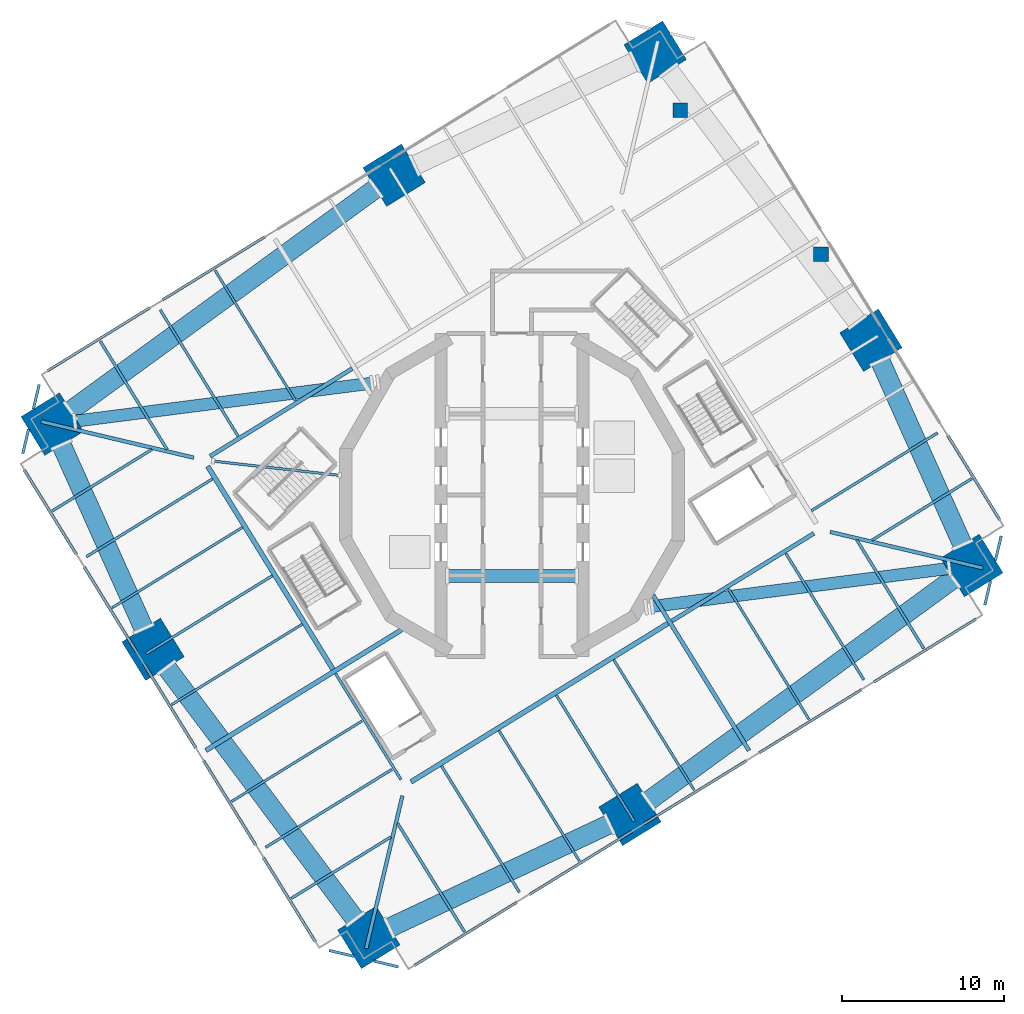
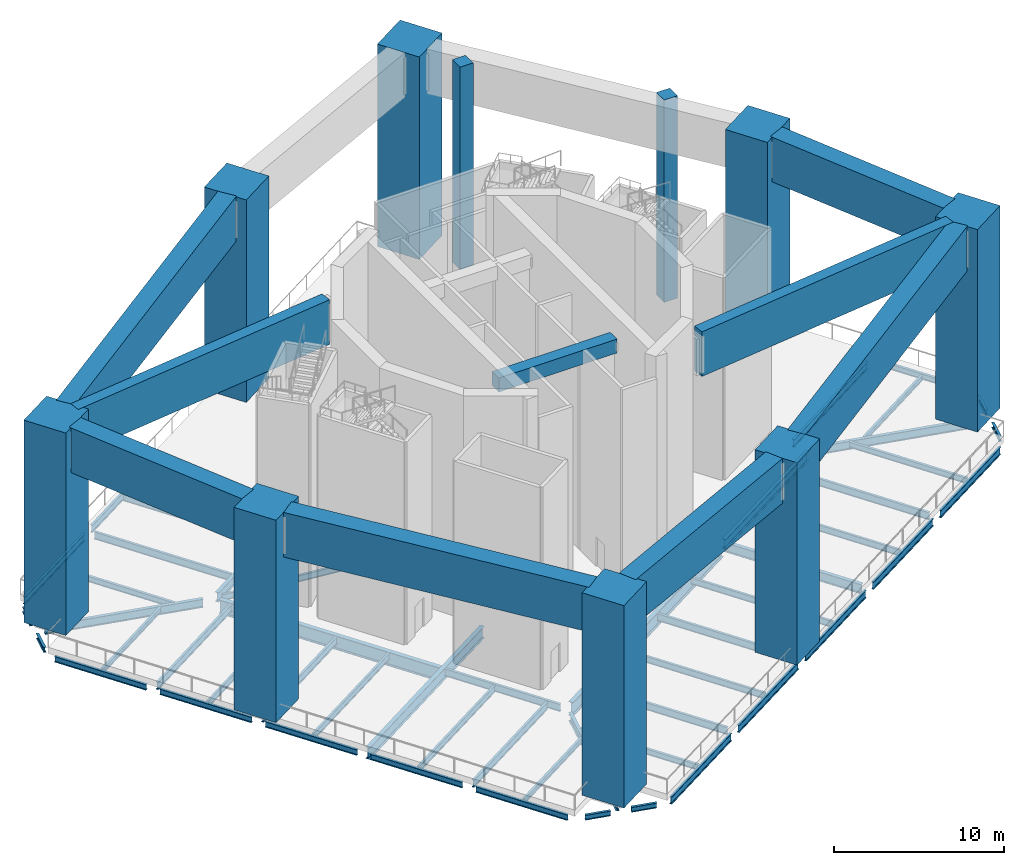
# One storey, part 1 of 15: 60 beams, 10 columns.
"""IFC4 building model written with IfcOpenShell, lengths in metres."""

from ifc_helpers import new_model, si_unit, direction, frame, origin, origin_2d, place, context, subcontext, project, spatial, rectangle, i_section, extrude, material, material_profile, profile_set, type_object, element, save


model = new_model("IFC4")

# Units and contexts
model_context = context("Model", 3, precision=1e-05, world=origin(), true_north=direction((0.0, 1.0)))
body_context = subcontext(model_context, "Body", "Model", "MODEL_VIEW")
ifc_project = project(units=[si_unit("LENGTHUNIT", "METRE"), si_unit("AREAUNIT", "SQUARE_METRE"), si_unit("VOLUMEUNIT", "CUBIC_METRE"), si_unit("PLANEANGLEUNIT", "RADIAN"), si_unit("MASSUNIT", "GRAM", prefix="KILO")], contexts=[model_context])

# Site, building, storey
site_placement = place(None, origin())
site = spatial("IfcSite", under=ifc_project, at=site_placement, CompositionType="ELEMENT")
building_placement = place(site_placement, origin())
building = spatial("IfcBuilding", under=site, at=building_placement, Name="Cantera Rosa Tower", CompositionType="ELEMENT")
storey_placement = place(building_placement, frame((0.0, 0.0, 189.39990234375)))
storey = spatial("IfcBuildingStorey", under=building, at=storey_placement, Name="L42", CompositionType="ELEMENT", Elevation=189.39990234375)

# Columns
ifc_material_1 = material(Name="Concrete C60/75", Category="concrete")
ifc_material_profile_1 = material_profile(ifc_material_1, rectangle(XDim=0.89990234375, YDim=0.89990234375, at=origin_2d()), Name="RC COLUMN RC900X900 C60/75")
ifc_profile_set_1 = profile_set([ifc_material_profile_1], Name="Concrete C60/75")
column_type_1 = type_object("IfcColumnType", Name="RC COLUMN RC900X900 C60/75", PredefinedType="COLUMN", material=ifc_profile_set_1)
for number, where, z_axis, x_axis, name in (
    (1, (19.060791015625, 14.83349609375, 0.0), (0.0, 0.0, 1.0), (1.0, 0.0, 0.0), "CP-L43-1 L42"),
    (2, (10.3671875, 23.731689453125, 0.0), (0.0, 0.0, 1.0), (1.0, 0.0, 0.0), "CP-L43-2 L42"),
):
    element("IfcColumn", number, at=place(storey_placement, frame(where, z_axis=z_axis, x_axis=x_axis)), inside=storey, type_object=column_type_1, Name=name, PredefinedType="COLUMN", context=body_context, shape_type="SweptSolid", body=[
        extrude(rectangle(XDim=0.89990234375, YDim=0.89990234375, at=origin_2d()), origin(), (0.0, 0.0, 1.0), 14.5),
    ])
ifc_material_2 = material(Name="Concrete C60/75", Category="concrete")
ifc_material_profile_2 = material_profile(ifc_material_2, rectangle(XDim=2.800048828125, YDim=2.800048828125, at=origin_2d()), Name="RC MEGA COLUMN RC2800X2800 C60/75")
ifc_profile_set_2 = profile_set([ifc_material_profile_2], Name="Concrete C60/75")
column_type_2 = type_object("IfcColumnType", Name="RC MEGA COLUMN RC2800X2800 C60/75", PredefinedType="COLUMN", material=ifc_profile_set_2)
for number, where, z_axis, x_axis, name in (
    (3, (8.832275390625, 27.301513671875, 0.0), (0.0, 0.0, 1.0), (0.851116672434, 0.52497658034, 0.0), "PM-C-Z3-07 L42"),
    (4, (28.361572265625, -4.360107421875, 0.0), (0.0, 0.0, 1.0), (0.851116672434, 0.52497658034, 0.0), "PM-C-Z3-28 L42"),
    (5, (-28.361572265625, 4.360107421875, 0.0), (0.0, 0.0, 1.0), (0.851116672434, 0.52497658034, 0.0), "PM-C-Z3-14 L42"),
    (6, (-8.832275390625, -27.301513671875, 0.0), (0.0, 0.0, 1.0), (0.851116672434, 0.52497658034, 0.0), "PM-C-Z3-21 L42"),
    (7, (22.141845703125, 9.533203125, 0.0), (0.0, 0.0, 1.0), (0.851116672434, 0.52497658034, 0.0), "PM-C-Z3-03 L42"),
    (8, (-22.141845703125, -9.533203125, 0.0), (0.0, 0.0, 1.0), (0.851116672434, 0.52497658034, 0.0), "PM-C-Z3-17 L42"),
    (9, (-7.27392578125, 19.716796875, 0.0), (0.0, 0.0, 1.0), (0.851116672434, 0.52497658034, 0.0), "PM-C-Z3-10 L42"),
    (10, (7.27392578125, -19.716796875, 0.0), (0.0, 0.0, 1.0), (0.851116672434, 0.52497658034, 0.0), "PM-C-Z3-24 L42"),
):
    element("IfcColumn", number, at=place(storey_placement, frame(where, z_axis=z_axis, x_axis=x_axis)), inside=storey, type_object=column_type_2, Name=name, PredefinedType="COLUMN", context=body_context, shape_type="SweptSolid", body=[
        extrude(rectangle(XDim=2.800048828125, YDim=2.800048828125, at=origin_2d()), origin(), (0.0, 0.0, 1.0), 14.5),
    ])

# Beams
ifc_material_3 = material(Name="Concrete C60/75", Category="concrete")
ifc_material_profile_3 = material_profile(ifc_material_3, rectangle(XDim=0.800048828125, YDim=1.0, at=origin_2d()), Name="RC COUPLING BEAM RC800X1000 C60/75")
ifc_profile_set_3 = profile_set([ifc_material_profile_3], Name="Concrete C60/75")
beam_type_1 = type_object("IfcBeamType", Name="RC COUPLING BEAM RC800X1000 C60/75", PredefinedType="BEAM", material=ifc_profile_set_3)
beam_1_placement = place(storey_placement, frame((-4.0, -5.0, 14.0), z_axis=(1.0, 0.0, 0.0), x_axis=(0.0, 1.0, 0.0)))
element("IfcBeam", 11, at=beam_1_placement, inside=storey, type_object=beam_type_1, Name="CPL-L42-1", PredefinedType="BEAM", context=body_context, shape_type="SweptSolid", body=[
    extrude(rectangle(XDim=0.800048828125, YDim=1.0, at=origin_2d()), origin(), (0.0, 0.0, 1.0), 8.0),
])
ifc_material_4 = material(Name="Concrete C70/85", Category="concrete")
ifc_material_profile_4 = material_profile(ifc_material_4, rectangle(XDim=0.75, YDim=3.199951171875, at=origin_2d()), Name="RC OUTRIGGER BEAM RC750X3200 C70/85")
ifc_profile_set_4 = profile_set([ifc_material_profile_4], Name="Concrete C70/85")
beam_type_2 = type_object("IfcBeamType", Name="RC OUTRIGGER BEAM RC750X3200 C70/85", PredefinedType="BEAM", material=ifc_profile_set_4)
for number, where, z_axis, x_axis, name in (
    (12, (8.636962890625, -6.887451171875, 12.900146484375), (0.991889543398, 0.12710284693, 0.0), (-0.12710284693, 0.991889543398, 0.0), "OR-E42 L42"),
    (13, (-8.636962890625, 6.887451171875, 12.900146484375), (-0.991889543398, -0.12710284693, 0.0), (0.12710284693, -0.991889543398, 0.0), "OR-W42 L42"),
):
    element("IfcBeam", number, at=place(storey_placement, frame(where, z_axis=z_axis, x_axis=x_axis)), inside=storey, type_object=beam_type_2, Name=name, PredefinedType="BEAM", context=body_context, shape_type="SweptSolid", body=[
        extrude(rectangle(XDim=0.75, YDim=3.199951171875, at=origin_2d()), origin(), (0.0, 0.0, 1.0), 18.535888671875),
    ])
ifc_material_5 = material(Name="Concrete C70/85", Category="concrete")
ifc_material_profile_5 = material_profile(ifc_material_5, rectangle(XDim=1.199951171875, YDim=3.199951171875, at=origin_2d()), Name="RC PORTAL TRANSFER GIRDER RC1200X3200 C70/85")
ifc_profile_set_5 = profile_set([ifc_material_profile_5], Name="Concrete C70/85")
beam_type_3 = type_object("IfcBeamType", Name="RC PORTAL TRANSFER GIRDER RC1200X3200 C70/85", PredefinedType="BEAM", material=ifc_profile_set_5)
beam_2_placement = place(storey_placement, frame((-21.33251953125, -10.61376953125, 12.900146484375), z_axis=(0.599525141949, -0.800355923431, 0.0), x_axis=(0.800355923431, 0.599525141949, 0.0)))
element("IfcBeam", 14, at=beam_2_placement, inside=storey, type_object=beam_type_3, Name="PGB-L42-1", PredefinedType="BEAM", context=body_context, shape_type="SweptSolid", body=[
    extrude(rectangle(XDim=1.199951171875, YDim=3.199951171875, at=origin_2d()), origin(), (0.0, 0.0, 1.0), 19.500244140625),
])
beam_3_placement = place(storey_placement, frame((-7.611083984375, -26.726318359375, 12.900146484375), z_axis=(0.904706200569, 0.426036020369, 0.0), x_axis=(-0.426036020369, 0.904706200569, 0.0)))
element("IfcBeam", 15, at=beam_3_placement, inside=storey, type_object=beam_type_3, Name="PGB-L42-2", PredefinedType="BEAM", context=body_context, shape_type="SweptSolid", body=[
    extrude(rectangle(XDim=1.199951171875, YDim=3.199951171875, at=origin_2d()), origin(), (0.0, 0.0, 1.0), 15.102783203125),
])
beam_4_placement = place(storey_placement, frame((8.365234375, -18.922119140625, 12.900146484375), z_axis=(0.808365301249, 0.588681186837, 0.0), x_axis=(-0.588681186837, 0.808365301249, 0.0)))
element("IfcBeam", 16, at=beam_4_placement, inside=storey, type_object=beam_type_3, Name="PGB-L42-3", PredefinedType="BEAM", context=body_context, shape_type="SweptSolid", body=[
    extrude(rectangle(XDim=1.199951171875, YDim=3.199951171875, at=origin_2d()), origin(), (0.0, 0.0, 1.0), 23.38671875),
])
beam_5_placement = place(storey_placement, frame((27.809814453125, -3.1279296875, 12.900146484375), z_axis=(-0.408599043454, 0.912713986793, 0.0), x_axis=(-0.912713986793, -0.408599043454, 0.0)))
element("IfcBeam", 17, at=beam_5_placement, inside=storey, type_object=beam_type_3, Name="PGB-L42-4", PredefinedType="BEAM", context=body_context, shape_type="SweptSolid", body=[
    extrude(rectangle(XDim=1.199951171875, YDim=3.199951171875, at=origin_2d()), origin(), (0.0, 0.0, 1.0), 12.52197265625),
])
beam_6_placement = place(storey_placement, frame((-8.365234375, 18.922119140625, 12.900146484375), z_axis=(-0.808365301249, -0.588681186837, 0.0), x_axis=(0.588681186837, -0.808365301249, 0.0)))
element("IfcBeam", 18, at=beam_6_placement, inside=storey, type_object=beam_type_3, Name="PGB-L42-7", PredefinedType="BEAM", context=body_context, shape_type="SweptSolid", body=[
    extrude(rectangle(XDim=1.199951171875, YDim=3.199951171875, at=origin_2d()), origin(), (0.0, 0.0, 1.0), 23.38671875),
])
beam_7_placement = place(storey_placement, frame((-27.809814453125, 3.1279296875, 12.900146484375), z_axis=(0.408599043454, -0.912713986793, 0.0), x_axis=(0.912713986793, 0.408599043454, 0.0)))
element("IfcBeam", 19, at=beam_7_placement, inside=storey, type_object=beam_type_3, Name="PGB-L42-8", PredefinedType="BEAM", context=body_context, shape_type="SweptSolid", body=[
    extrude(rectangle(XDim=1.199951171875, YDim=3.199951171875, at=origin_2d()), origin(), (0.0, 0.0, 1.0), 12.52197265625),
])
ifc_material_6 = material(Name="Steel ASTM A992 (Fy 345 MPa)", Category="steel")
ifc_material_profile_6 = material_profile(ifc_material_6, i_section(OverallWidth=0.300048828125, OverallDepth=0.990966796875, WebThickness=0.0166015625, FlangeThickness=0.030517578125, FilletRadius=0.030029296875, at=origin_2d()), Name="W1000X272")
ifc_profile_set_6 = profile_set([ifc_material_profile_6], Name="Steel ASTM A992 (Fy 345 MPa)")
beam_type_4 = type_object("IfcBeamType", Name="STEEL BEAM W1000X272", PredefinedType="BEAM", material=ifc_profile_set_6)
beam_8_placement = place(storey_placement, frame((-11.04541015625, -10.7607421875, -0.9453125), z_axis=(-0.524974072618, 0.851118219215, 0.0), x_axis=(-0.851118219215, -0.524974072618, 0.0)))
element("IfcBeam", 20, at=beam_8_placement, inside=storey, type_object=beam_type_4, Name="RB-Z3-08 L42", PredefinedType="BEAM", context=body_context, shape_type="SweptSolid", body=[
    extrude(i_section(OverallWidth=0.300048828125, OverallDepth=0.990966796875, WebThickness=0.0166015625, FlangeThickness=0.030517578125, FilletRadius=0.030029296875, at=origin_2d()), origin(), (0.0, 0.0, 1.0), 14.7099609375),
])
ifc_material_7 = material(Name="Steel ASTM A992 (Fy 345 MPa)", Category="steel")
ifc_material_profile_7 = material_profile(ifc_material_7, i_section(OverallWidth=0.302001953125, OverallDepth=1.010009765625, WebThickness=0.02099609375, FlangeThickness=0.0400390625, FilletRadius=0.030029296875, at=origin_2d()), Name="W1000X350")
ifc_profile_set_7 = profile_set([ifc_material_profile_7], Name="Steel ASTM A992 (Fy 345 MPa)")
beam_type_5 = type_object("IfcBeamType", Name="STEEL BEAM W1000X350", PredefinedType="BEAM", material=ifc_profile_set_7)
beam_9_placement = place(storey_placement, frame((-6.231689453125, -17.707763671875, -0.954833984375), z_axis=(0.851118702028, 0.524973289852, 0.0), x_axis=(-0.524973289852, 0.851118702028, 0.0)))
element("IfcBeam", 21, at=beam_9_placement, inside=storey, type_object=beam_type_5, Name="RB-Z3-03 L42", PredefinedType="BEAM", context=body_context, shape_type="SweptSolid", body=[
    extrude(i_section(OverallWidth=0.302001953125, OverallDepth=1.010009765625, WebThickness=0.02099609375, FlangeThickness=0.0400390625, FilletRadius=0.030029296875, at=origin_2d()), origin(), (0.0, 0.0, 1.0), 18.610107421875),
])
ifc_material_8 = material(Name="Steel ASTM A992 (Fy 345 MPa)", Category="steel")
ifc_material_profile_8 = material_profile(ifc_material_8, i_section(OverallWidth=0.154052734375, OverallDepth=0.4599609375, WebThickness=0.009033203125, FlangeThickness=0.015380859375, FilletRadius=0.01025390625, at=origin_2d()), Name="W460X68")
ifc_profile_set_8 = profile_set([ifc_material_profile_8], Name="Steel ASTM A992 (Fy 345 MPa)")
beam_type_6 = type_object("IfcBeamType", Name="STEEL BEAM W460X68", PredefinedType="BEAM", material=ifc_profile_set_8)
beam_10_placement = place(storey_placement, frame((-18.435791015625, 2.078125, -0.679931640625), z_axis=(0.993707483767, -0.11200641368, 0.0), x_axis=(0.11200641368, 0.993707483767, 0.0)))
element("IfcBeam", 22, at=beam_10_placement, inside=storey, type_object=beam_type_6, Name="PG-Z3-01 L42", PredefinedType="BEAM", context=body_context, shape_type="SweptSolid", body=[
    extrude(i_section(OverallWidth=0.154052734375, OverallDepth=0.4599609375, WebThickness=0.009033203125, FlangeThickness=0.015380859375, FilletRadius=0.01025390625, at=origin_2d()), origin(), (0.0, 0.0, 1.0), 7.860107421875),
])
ifc_material_9 = material(Name="Steel ASTM A992 (Fy 345 MPa)", Category="steel")
ifc_material_profile_9 = material_profile(ifc_material_9, i_section(OverallWidth=0.166015625, OverallDepth=0.528076171875, WebThickness=0.009765625, FlangeThickness=0.013671875, FilletRadius=0.0126953125, at=origin_2d()), Name="W530X74")
ifc_profile_set_9 = profile_set([ifc_material_profile_9], Name="Steel ASTM A992 (Fy 345 MPa)")
beam_type_7 = type_object("IfcBeamType", Name="STEEL BEAM W530X74", PredefinedType="BEAM", material=ifc_profile_set_9)
for number, where, z_axis, x_axis, name in (
    (23, (26.252685546875, 3.82080078125, -0.7138671875), (-0.851116426313, -0.524976979362, 0.0), (0.524976979362, -0.851116426313, 0.0), "G-Z3-01 L42"),
    (24, (-21.698974609375, 11.40673828125, -0.7138671875), (0.524976979362, -0.851116426313, 0.0), (0.851116426313, 0.524976979362, 0.0), "G-Z3-08 L42"),
    (25, (0.455078125, -24.51025390625, -0.7138671875), (-0.524976979362, 0.851116426313, 0.0), (-0.851116426313, -0.524976979362, 0.0), "G-Z3-09 L42"),
):
    element("IfcBeam", number, at=place(storey_placement, frame(where, z_axis=z_axis, x_axis=x_axis)), inside=storey, type_object=beam_type_7, Name=name, PredefinedType="BEAM", context=body_context, shape_type="SweptSolid", body=[
        extrude(i_section(OverallWidth=0.166015625, OverallDepth=0.528076171875, WebThickness=0.009765625, FlangeThickness=0.013671875, FilletRadius=0.0126953125, at=origin_2d()), origin(), (0.0, 0.0, 1.0), 9.14990234375),
    ])
beam_11_placement = place(storey_placement, frame((7.536376953125, -20.142578125, -0.7138671875), z_axis=(-0.524965057427, 0.851123779764, 0.0), x_axis=(-0.851123779764, -0.524965057427, 0.0)))
element("IfcBeam", 26, at=beam_11_placement, inside=storey, type_object=beam_type_7, Name="G-Z3-10 L42", PredefinedType="BEAM", context=body_context, shape_type="SweptSolid", body=[
    extrude(i_section(OverallWidth=0.166015625, OverallDepth=0.528076171875, WebThickness=0.009765625, FlangeThickness=0.013671875, FilletRadius=0.0126953125, at=origin_2d()), origin(), (0.0, 0.0, 1.0), 9.150146484375),
])
for number, where, z_axis, x_axis, name in (
    (27, (21.698974609375, -11.40673828125, -0.7138671875), (-0.524976979362, 0.851116426313, 0.0), (-0.851116426313, -0.524976979362, 0.0), "G-Z3-12 L42"),
    (28, (-26.252685546875, -3.82080078125, -0.7138671875), (0.851116426313, 0.524976979362, 0.0), (-0.524976979362, 0.851116426313, 0.0), "G-Z3-13 L42"),
):
    element("IfcBeam", number, at=place(storey_placement, frame(where, z_axis=z_axis, x_axis=x_axis)), inside=storey, type_object=beam_type_7, Name=name, PredefinedType="BEAM", context=body_context, shape_type="SweptSolid", body=[
        extrude(i_section(OverallWidth=0.166015625, OverallDepth=0.528076171875, WebThickness=0.009765625, FlangeThickness=0.013671875, FilletRadius=0.0126953125, at=origin_2d()), origin(), (0.0, 0.0, 1.0), 9.14990234375),
    ])
for number, where, z_axis, x_axis, name in (
    (29, (-22.5673828125, -9.795654296875, -0.7138671875), (0.851123779764, 0.524965057427, 0.0), (-0.524965057427, 0.851123779764, 0.0), "G-Z3-14 L42"),
    (30, (-15.19677734375, -21.745361328125, -0.7138671875), (0.851123779764, 0.524965057427, 0.0), (-0.524965057427, 0.851123779764, 0.0), "G-Z3-16 L42"),
):
    element("IfcBeam", number, at=place(storey_placement, frame(where, z_axis=z_axis, x_axis=x_axis)), inside=storey, type_object=beam_type_7, Name=name, PredefinedType="BEAM", context=body_context, shape_type="SweptSolid", body=[
        extrude(i_section(OverallWidth=0.166015625, OverallDepth=0.528076171875, WebThickness=0.009765625, FlangeThickness=0.013671875, FilletRadius=0.0126953125, at=origin_2d()), origin(), (0.0, 0.0, 1.0), 9.150146484375),
    ])
beam_12_placement = place(storey_placement, frame((-6.850830078125, -17.56103515625, -0.7138671875), z_axis=(-0.52497571981, 0.851117203216, 0.0), x_axis=(-0.851117203216, -0.52497571981, 0.0)))
element("IfcBeam", 31, at=beam_12_placement, inside=storey, type_object=beam_type_7, Name="RB-Z3-07 L42", PredefinedType="BEAM", context=body_context, shape_type="SweptSolid", body=[
    extrude(i_section(OverallWidth=0.166015625, OverallDepth=0.528076171875, WebThickness=0.009765625, FlangeThickness=0.013671875, FilletRadius=0.0126953125, at=origin_2d()), origin(), (0.0, 0.0, 1.0), 7.690185546875),
])
ifc_material_10 = material(Name="Steel ASTM A992 (Fy 345 MPa)", Category="steel")
ifc_material_profile_10 = material_profile(ifc_material_10, i_section(OverallWidth=0.22802734375, OverallDepth=0.60205078125, WebThickness=0.010498046875, FlangeThickness=0.014892578125, FilletRadius=0.0126953125, at=origin_2d()), Name="W610X101")
ifc_profile_set_10 = profile_set([ifc_material_profile_10], Name="Steel ASTM A992 (Fy 345 MPa)")
beam_type_8 = type_object("IfcBeamType", Name="STEEL BEAM W610X101", PredefinedType="BEAM", material=ifc_profile_set_10)
for number, where, z_axis, x_axis, name in (
    (32, (-29.049560546875, 4.523193359375, -0.7509765625), (0.973043389436, -0.230622120091, 0.0), (0.230622120091, 0.973043389436, 0.0), "CB-Z3-02 L42"),
    (33, (-8.995361328125, -27.989501953125, -0.7509765625), (0.230622120091, 0.973043389436, 0.0), (-0.973043389436, 0.230622120091, 0.0), "CB-Z3-03 L42"),
    (34, (29.049560546875, -4.523193359375, -0.7509765625), (-0.973043389436, 0.230622120091, 0.0), (-0.230622120091, -0.973043389436, 0.0), "CB-Z3-04 L42"),
):
    element("IfcBeam", number, at=place(storey_placement, frame(where, z_axis=z_axis, x_axis=x_axis)), inside=storey, type_object=beam_type_8, Name=name, PredefinedType="BEAM", context=body_context, shape_type="SweptSolid", body=[
        extrude(i_section(OverallWidth=0.22802734375, OverallDepth=0.60205078125, WebThickness=0.010498046875, FlangeThickness=0.014892578125, FilletRadius=0.0126953125, at=origin_2d()), origin(), (0.0, 0.0, 1.0), 9.6875),
    ])
ifc_material_11 = material(Name="Steel ASTM A992 (Fy 345 MPa)", Category="steel")
ifc_material_profile_11 = material_profile(ifc_material_11, i_section(OverallWidth=0.25390625, OverallDepth=0.677978515625, WebThickness=0.01171875, FlangeThickness=0.016357421875, FilletRadius=0.01513671875, at=origin_2d()), Name="W690X125")
ifc_profile_set_11 = profile_set([ifc_material_profile_11], Name="Steel ASTM A992 (Fy 345 MPa)")
beam_type_9 = type_object("IfcBeamType", Name="STEEL BEAM W690X125", PredefinedType="BEAM", material=ifc_profile_set_11)
beam_13_placement = place(storey_placement, frame((14.61767578125, -15.774658203125, -0.788818359375), z_axis=(-0.524984160378, 0.85111199695, 0.0), x_axis=(-0.85111199695, -0.524984160378, 0.0)))
element("IfcBeam", 35, at=beam_13_placement, inside=storey, type_object=beam_type_9, Name="G-Z3-11 L42", PredefinedType="BEAM", context=body_context, shape_type="SweptSolid", body=[
    extrude(i_section(OverallWidth=0.25390625, OverallDepth=0.677978515625, WebThickness=0.01171875, FlangeThickness=0.016357421875, FilletRadius=0.01513671875, at=origin_2d()), origin(), (0.0, 0.0, 1.0), 11.271728515625),
])
for number, where, z_axis, x_axis, name in (
    (36, (-18.62109375, 2.37841796875, -0.788818359375), (0.851114508358, 0.524980088825, 0.0), (-0.524980088825, 0.851114508358, 0.0), "RB-Z3-01 L42"),
    (37, (9.863037109375, -7.780517578125, -0.788818359375), (0.851114508358, 0.524980088825, 0.0), (-0.524980088825, 0.851114508358, 0.0), "RB-Z3-04 L42"),
):
    element("IfcBeam", number, at=place(storey_placement, frame(where, z_axis=z_axis, x_axis=x_axis)), inside=storey, type_object=beam_type_9, Name=name, PredefinedType="BEAM", context=body_context, shape_type="SweptSolid", body=[
        extrude(i_section(OverallWidth=0.25390625, OverallDepth=0.677978515625, WebThickness=0.01171875, FlangeThickness=0.016357421875, FilletRadius=0.01513671875, at=origin_2d()), origin(), (0.0, 0.0, 1.0), 10.2900390625),
    ])
ifc_material_12 = material(Name="Steel ASTM A992 (Fy 345 MPa)", Category="steel")
ifc_material_profile_12 = material_profile(ifc_material_12, i_section(OverallWidth=0.2919921875, OverallDepth=0.8359375, WebThickness=0.013916015625, FlangeThickness=0.018798828125, FilletRadius=0.017822265625, at=origin_2d()), Name="W840X176")
ifc_profile_set_12 = profile_set([ifc_material_profile_12], Name="Steel ASTM A992 (Fy 345 MPa)")
beam_type_10 = type_object("IfcBeamType", Name="STEEL BEAM W840X176", PredefinedType="BEAM", material=ifc_profile_set_12)
beam_14_placement = place(storey_placement, frame((-18.882080078125, -15.7705078125, -0.867919921875), z_axis=(0.8511231456, 0.524966085595, 0.0), x_axis=(-0.524966085595, 0.8511231456, 0.0)))
element("IfcBeam", 38, at=beam_14_placement, inside=storey, type_object=beam_type_10, Name="G-Z3-15 L42", PredefinedType="BEAM", context=body_context, shape_type="SweptSolid", body=[
    extrude(i_section(OverallWidth=0.2919921875, OverallDepth=0.8359375, WebThickness=0.013916015625, FlangeThickness=0.018798828125, FilletRadius=0.017822265625, at=origin_2d()), origin(), (0.0, 0.0, 1.0), 14.17138671875),
])
ifc_material_13 = material(Name="Steel ASTM A992 (Fy 345 MPa)", Category="steel")
ifc_material_profile_13 = material_profile(ifc_material_13, i_section(OverallWidth=0.1708984375, OverallDepth=0.35595703125, WebThickness=0.00732421875, FlangeThickness=0.01171875, FilletRadius=0.010009765625, at=origin_2d()), Name="W360X51")
ifc_profile_set_13 = profile_set([ifc_material_profile_13], Name="Steel ASTM A992 (Fy 345 MPa)")
beam_type_11 = type_object("IfcBeamType", Name="STEEL JOIST W360X51", PredefinedType="JOIST", material=ifc_profile_set_13)
for number, where, z_axis, x_axis, name in (
    (39, (28.3505859375, 0.990966796875, -0.6279296875), (-0.851109089911, -0.524988873283, 0.0), (0.524988873283, -0.851109089911, 0.0), "B-Z3-01 L42"),
    (40, (-28.3505859375, -0.990966796875, -0.6279296875), (0.851109089911, 0.524988873283, 0.0), (-0.524988873283, 0.851109089911, 0.0), "B-Z3-16 L42"),
    (41, (-13.609375, -24.890380859375, -0.6279296875), (0.851109089911, 0.524988873283, 0.0), (-0.524988873283, 0.851109089911, 0.0), "B-Z3-20 L42"),
):
    element("IfcBeam", number, at=place(storey_placement, frame(where, z_axis=z_axis, x_axis=x_axis)), inside=storey, type_object=beam_type_11, Name=name, PredefinedType="JOIST", context=body_context, shape_type="SweptSolid", body=[
        extrude(i_section(OverallWidth=0.1708984375, OverallDepth=0.35595703125, WebThickness=0.00732421875, FlangeThickness=0.01171875, FilletRadius=0.010009765625, at=origin_2d()), origin(), (0.0, 0.0, 1.0), 7.2099609375),
    ])
ifc_material_14 = material(Name="Steel ASTM A992 (Fy 345 MPa)", Category="steel")
ifc_material_profile_14 = material_profile(ifc_material_14, i_section(OverallWidth=0.177978515625, OverallDepth=0.406005859375, WebThickness=0.0078125, FlangeThickness=0.0126953125, FilletRadius=0.01025390625, at=origin_2d()), Name="W410X60")
ifc_profile_set_14 = profile_set([ifc_material_profile_14], Name="Steel ASTM A992 (Fy 345 MPa)")
beam_type_12 = type_object("IfcBeamType", Name="STEEL JOIST W410X60", PredefinedType="JOIST", material=ifc_profile_set_14)
beam_15_placement = place(storey_placement, frame((-25.39697265625, 9.478271484375, -0.65283203125), z_axis=(0.524972339906, -0.851119287958, 0.0), x_axis=(0.851119287958, 0.524972339906, 0.0)))
element("IfcBeam", 42, at=beam_15_placement, inside=storey, type_object=beam_type_12, Name="B-Z3-10 L42", PredefinedType="JOIST", context=body_context, shape_type="SweptSolid", body=[
    extrude(i_section(OverallWidth=0.177978515625, OverallDepth=0.406005859375, WebThickness=0.0078125, FlangeThickness=0.0126953125, FilletRadius=0.01025390625, at=origin_2d()), origin(), (0.0, 0.0, 1.0), 7.85986328125),
])
beam_16_placement = place(storey_placement, frame((-2.927978515625, -26.949462890625, -0.65283203125), z_axis=(-0.524994840515, 0.85110540912, 0.0), x_axis=(-0.85110540912, -0.524994840515, 0.0)))
element("IfcBeam", 43, at=beam_16_placement, inside=storey, type_object=beam_type_12, Name="B-Z3-11 L42", PredefinedType="JOIST", context=body_context, shape_type="SweptSolid", body=[
    extrude(i_section(OverallWidth=0.177978515625, OverallDepth=0.406005859375, WebThickness=0.0078125, FlangeThickness=0.0126953125, FilletRadius=0.01025390625, at=origin_2d()), origin(), (0.0, 0.0, 1.0), 7.860107421875),
])
beam_17_placement = place(storey_placement, frame((25.39697265625, -9.478271484375, -0.65283203125), z_axis=(-0.524972339906, 0.851119287958, 0.0), x_axis=(-0.851119287958, -0.524972339906, 0.0)))
element("IfcBeam", 44, at=beam_17_placement, inside=storey, type_object=beam_type_12, Name="B-Z3-15 L42", PredefinedType="JOIST", context=body_context, shape_type="SweptSolid", body=[
    extrude(i_section(OverallWidth=0.177978515625, OverallDepth=0.406005859375, WebThickness=0.0078125, FlangeThickness=0.0126953125, FilletRadius=0.01025390625, at=origin_2d()), origin(), (0.0, 0.0, 1.0), 7.85986328125),
])
ifc_material_15 = material(Name="Steel ASTM A992 (Fy 345 MPa)", Category="steel")
ifc_material_profile_15 = material_profile(ifc_material_15, i_section(OverallWidth=0.154052734375, OverallDepth=0.4599609375, WebThickness=0.009033203125, FlangeThickness=0.015380859375, FilletRadius=0.01025390625, at=origin_2d()), Name="W460X68")
ifc_profile_set_15 = profile_set([ifc_material_profile_15], Name="Steel ASTM A992 (Fy 345 MPa)")
beam_type_13 = type_object("IfcBeamType", Name="STEEL JOIST W460X68", PredefinedType="JOIST", material=ifc_profile_set_15)
for number, where, z_axis, x_axis, name in (
    (45, (-18.315673828125, 13.84619140625, -0.679931640625), (0.524962009542, -0.851125659663, 0.0), (0.851125659663, 0.524962009542, 0.0), "B-Z3-09 L42"),
    (46, (4.1533203125, -22.581787109375, -0.679931640625), (-0.524980724235, 0.851114116427, 0.0), (-0.851114116427, -0.524980724235, 0.0), "B-Z3-12 L42"),
):
    element("IfcBeam", number, at=place(storey_placement, frame(where, z_axis=z_axis, x_axis=x_axis)), inside=storey, type_object=beam_type_13, Name=name, PredefinedType="JOIST", context=body_context, shape_type="SweptSolid", body=[
        extrude(i_section(OverallWidth=0.154052734375, OverallDepth=0.4599609375, WebThickness=0.009033203125, FlangeThickness=0.015380859375, FilletRadius=0.01025390625, at=origin_2d()), origin(), (0.0, 0.0, 1.0), 9.4501953125),
    ])
beam_18_placement = place(storey_placement, frame((11.234619140625, -18.2138671875, -0.679931640625), z_axis=(-0.524992267726, 0.85110699611, 0.0), x_axis=(-0.85110699611, -0.524992267726, 0.0)))
element("IfcBeam", 47, at=beam_18_placement, inside=storey, type_object=beam_type_13, Name="B-Z3-13 L42", PredefinedType="JOIST", context=body_context, shape_type="SweptSolid", body=[
    extrude(i_section(OverallWidth=0.154052734375, OverallDepth=0.4599609375, WebThickness=0.009033203125, FlangeThickness=0.015380859375, FilletRadius=0.01025390625, at=origin_2d()), origin(), (0.0, 0.0, 1.0), 9.449951171875),
])
beam_19_placement = place(storey_placement, frame((18.315673828125, -13.84619140625, -0.679931640625), z_axis=(-0.524962009542, 0.851125659663, 0.0), x_axis=(-0.851125659663, -0.524962009542, 0.0)))
element("IfcBeam", 48, at=beam_19_placement, inside=storey, type_object=beam_type_13, Name="B-Z3-14 L42", PredefinedType="JOIST", context=body_context, shape_type="SweptSolid", body=[
    extrude(i_section(OverallWidth=0.154052734375, OverallDepth=0.4599609375, WebThickness=0.009033203125, FlangeThickness=0.015380859375, FilletRadius=0.01025390625, at=origin_2d()), origin(), (0.0, 0.0, 1.0), 9.4501953125),
])
for number, where, z_axis, x_axis, name in (
    (49, (-24.665283203125, -6.9658203125, -0.679931640625), (0.851118539758, 0.524973552935, 0.0), (-0.524973552935, 0.851118539758, 0.0), "B-Z3-17 L42"),
    (50, (-20.97998046875, -12.940673828125, -0.679931640625), (0.851118539758, 0.524973552935, 0.0), (-0.524973552935, 0.851118539758, 0.0), "B-Z3-18 L42"),
    (51, (-17.294677734375, -18.91552734375, -0.679931640625), (0.851118539758, 0.524973552935, 0.0), (-0.524973552935, 0.851118539758, 0.0), "B-Z3-19 L42"),
):
    element("IfcBeam", number, at=place(storey_placement, frame(where, z_axis=z_axis, x_axis=x_axis)), inside=storey, type_object=beam_type_13, Name=name, PredefinedType="JOIST", context=body_context, shape_type="SweptSolid", body=[
        extrude(i_section(OverallWidth=0.154052734375, OverallDepth=0.4599609375, WebThickness=0.009033203125, FlangeThickness=0.015380859375, FilletRadius=0.01025390625, at=origin_2d()), origin(), (0.0, 0.0, 1.0), 9.449951171875),
    ])
ifc_material_16 = material(Name="Steel ASTM A992 (Fy 345 MPa)", Category="steel")
ifc_material_profile_16 = material_profile(ifc_material_16, i_section(OverallWidth=0.1708984375, OverallDepth=0.35595703125, WebThickness=0.00732421875, FlangeThickness=0.01171875, FilletRadius=0.010009765625, at=origin_2d()), Name="W360X51")
ifc_profile_set_16 = profile_set([ifc_material_profile_16], Name="Steel ASTM A992 (Fy 345 MPa)")
beam_type_14 = type_object("IfcBeamType", Name="STEEL SPANDREL BEAM W360X51", PredefinedType="SPANDREL", material=ifc_profile_set_16)
for number, where, z_axis, x_axis, name in (
    (52, (-29.163330078125, 6.802734375, -0.6279296875), (-0.230552419793, -0.973059906546, 0.0), (0.973059906546, -0.230552419793, 0.0), "EB-Z3-13 L42"),
    (53, (-29.8154296875, 4.050537109375, -0.6279296875), (-0.230701014544, -0.973024687194, 0.0), (0.973024687194, -0.230701014544, 0.0), "EB-Z3-14 L42"),
    (54, (-11.275146484375, -28.103271484375, -0.6279296875), (0.973059906546, -0.230552419793, 0.0), (0.230552419793, 0.973059906546, 0.0), "EB-Z3-20 L42"),
    (55, (-8.52294921875, -28.755615234375, -0.6279296875), (0.973059906546, -0.230552419793, 0.0), (0.230552419793, 0.973059906546, 0.0), "EB-Z3-21 L42"),
    (56, (29.163330078125, -6.802734375, -0.6279296875), (0.230552419793, 0.973059906546, 0.0), (-0.973059906546, 0.230552419793, 0.0), "EB-Z3-27 L42"),
    (57, (29.8154296875, -4.050537109375, -0.6279296875), (0.230701014544, 0.973024687194, 0.0), (-0.973024687194, 0.230701014544, 0.0), "EB-Z3-28 L42"),
):
    element("IfcBeam", number, at=place(storey_placement, frame(where, z_axis=z_axis, x_axis=x_axis)), inside=storey, type_object=beam_type_14, Name=name, PredefinedType="SPANDREL", context=body_context, shape_type="SweptSolid", body=[
        extrude(i_section(OverallWidth=0.1708984375, OverallDepth=0.35595703125, WebThickness=0.00732421875, FlangeThickness=0.01171875, FilletRadius=0.010009765625, at=origin_2d()), origin(), (0.0, 0.0, 1.0), 1.5556640625),
    ])
ifc_material_17 = material(Name="Steel ASTM A992 (Fy 345 MPa)", Category="steel")
ifc_material_profile_17 = material_profile(ifc_material_17, i_section(OverallWidth=0.177978515625, OverallDepth=0.406005859375, WebThickness=0.0078125, FlangeThickness=0.0126953125, FilletRadius=0.01025390625, at=origin_2d()), Name="W410X60")
ifc_profile_set_17 = profile_set([ifc_material_profile_17], Name="Steel ASTM A992 (Fy 345 MPa)")
beam_type_15 = type_object("IfcBeamType", Name="STEEL SPANDREL BEAM W410X60", PredefinedType="SPANDREL", material=ifc_profile_set_17)
for number, where, z_axis, x_axis, name in (
    (58, (30.084716796875, -1.53466796875, -0.65283203125), (-0.524987447654, 0.851109969279, 0.0), (-0.851109969279, -0.524987447654, 0.0), "EB-Z3-01 L42"),
    (59, (-30.084716796875, 1.53466796875, -0.65283203125), (0.524987447654, -0.851109969279, 0.0), (0.851109969279, 0.524987447654, 0.0), "EB-Z3-15 L42"),
    (60, (-26.3994140625, -4.440185546875, -0.65283203125), (0.524987447654, -0.851109969279, 0.0), (0.851109969279, 0.524987447654, 0.0), "EB-Z3-16 L42"),
    (61, (-22.714111328125, -10.4150390625, -0.65283203125), (0.524987447654, -0.851109969279, 0.0), (0.851109969279, 0.524987447654, 0.0), "EB-Z3-17 L42"),
    (62, (-19.02880859375, -16.389892578125, -0.65283203125), (0.524987447654, -0.851109969279, 0.0), (0.851109969279, 0.524987447654, 0.0), "EB-Z3-18 L42"),
    (63, (-15.343505859375, -22.36474609375, -0.65283203125), (0.524987447654, -0.851109969279, 0.0), (0.851109969279, 0.524987447654, 0.0), "EB-Z3-19 L42"),
):
    element("IfcBeam", number, at=place(storey_placement, frame(where, z_axis=z_axis, x_axis=x_axis)), inside=storey, type_object=beam_type_15, Name=name, PredefinedType="SPANDREL", context=body_context, shape_type="SweptSolid", body=[
        extrude(i_section(OverallWidth=0.177978515625, OverallDepth=0.406005859375, WebThickness=0.0078125, FlangeThickness=0.0126953125, FilletRadius=0.01025390625, at=origin_2d()), origin(), (0.0, 0.0, 1.0), 6.119873046875),
    ])
ifc_material_18 = material(Name="Steel ASTM A992 (Fy 345 MPa)", Category="steel")
ifc_material_profile_18 = material_profile(ifc_material_18, i_section(OverallWidth=0.166015625, OverallDepth=0.528076171875, WebThickness=0.009765625, FlangeThickness=0.013671875, FilletRadius=0.0126953125, at=origin_2d()), Name="W530X74")
ifc_profile_set_18 = profile_set([ifc_material_profile_18], Name="Steel ASTM A992 (Fy 345 MPa)")
beam_type_16 = type_object("IfcBeamType", Name="STEEL SPANDREL BEAM W530X74", PredefinedType="SPANDREL", material=ifc_profile_set_18)
for number, where, z_axis, x_axis, name in (
    (64, (-15.23681640625, 15.92138671875, -0.7138671875), (-0.85112578684, -0.524961803349, 0.0), (0.524961803349, -0.85112578684, 0.0), "EB-Z3-11 L42"),
    (65, (-22.318115234375, 11.5537109375, -0.7138671875), (-0.851111085575, -0.524985637909, 0.0), (0.524985637909, -0.851111085575, 0.0), "EB-Z3-12 L42"),
    (66, (-6.007080078125, -29.02490234375, -0.7138671875), (0.851111085575, 0.524985637909, 0.0), (-0.524985637909, 0.851111085575, 0.0), "EB-Z3-22 L42"),
    (67, (1.07421875, -24.656982421875, -0.7138671875), (0.85112578684, 0.524961803349, 0.0), (-0.524961803349, 0.85112578684, 0.0), "EB-Z3-23 L42"),
    (68, (8.155517578125, -20.289306640625, -0.7138671875), (0.851111085575, 0.524985637909, 0.0), (-0.524985637909, 0.851111085575, 0.0), "EB-Z3-24 L42"),
    (69, (15.23681640625, -15.92138671875, -0.7138671875), (0.85112578684, 0.524961803349, 0.0), (-0.524961803349, 0.85112578684, 0.0), "EB-Z3-25 L42"),
    (70, (22.318115234375, -11.5537109375, -0.7138671875), (0.851111085575, 0.524985637909, 0.0), (-0.524985637909, 0.851111085575, 0.0), "EB-Z3-26 L42"),
):
    element("IfcBeam", number, at=place(storey_placement, frame(where, z_axis=z_axis, x_axis=x_axis)), inside=storey, type_object=beam_type_16, Name=name, PredefinedType="SPANDREL", context=body_context, shape_type="SweptSolid", body=[
        extrude(i_section(OverallWidth=0.166015625, OverallDepth=0.528076171875, WebThickness=0.009765625, FlangeThickness=0.013671875, FilletRadius=0.0126953125, at=origin_2d()), origin(), (0.0, 0.0, 1.0), 7.420166015625),
    ])

save(model, "model.ifc")
